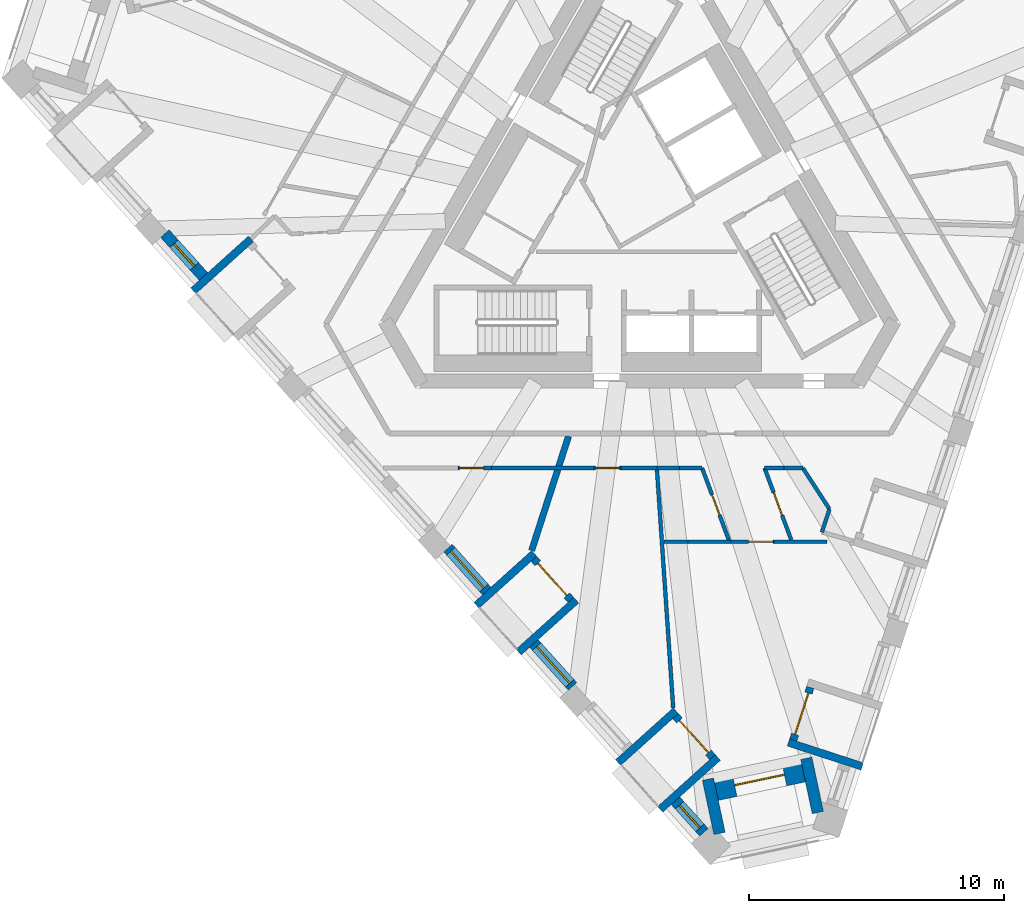
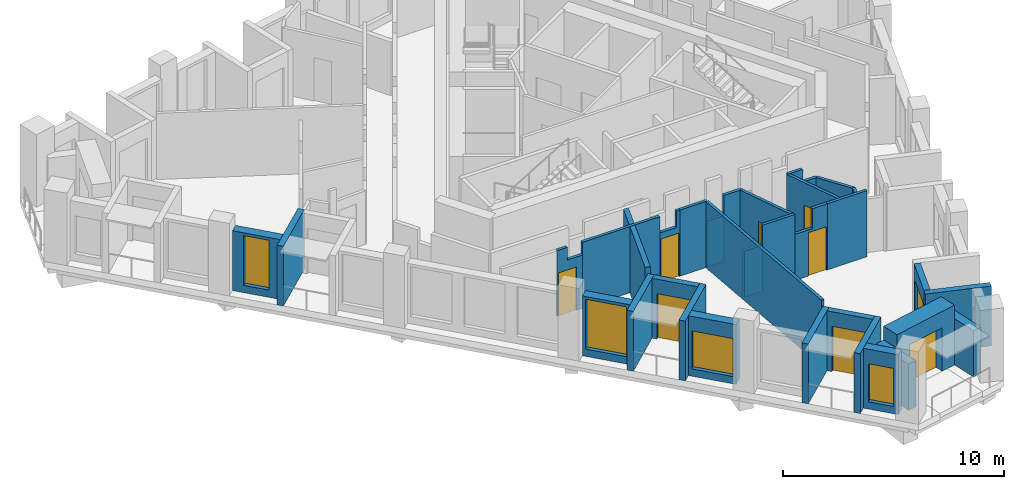
# One storey, part 2 of 12: 34 walls, 9 doors, 4 windows, 13 openings.
"""IFC4 building model written with IfcOpenShell, lengths in metres."""

from ifc_helpers import new_model, si_unit, direction, frame, frame_2d, origin, place, context, subcontext, project, spatial, polyline, rectangle, outline, extrude, material, layer, layer_set, type_object, element, fill, save


model = new_model("IFC4")

# Units and contexts
model_context = context("Model", 3, precision=1e-05, world=origin(), true_north=direction((0.0, 1.0)))
body_context = subcontext(model_context, "Body", "Model", "MODEL_VIEW")
ifc_project = project(units=[si_unit("LENGTHUNIT", "METRE"), si_unit("AREAUNIT", "SQUARE_METRE"), si_unit("VOLUMEUNIT", "CUBIC_METRE"), si_unit("PLANEANGLEUNIT", "RADIAN"), si_unit("MASSUNIT", "GRAM", prefix="KILO")], contexts=[model_context])

# Site, building, storey
site_placement = place(None, origin())
site = spatial("IfcSite", under=ifc_project, at=site_placement, CompositionType="ELEMENT")
building_placement = place(site_placement, origin())
building = spatial("IfcBuilding", under=site, at=building_placement, Name="Tramontana Tower", CompositionType="ELEMENT")
storey_placement = place(building_placement, frame((0.0, 0.0, 340.39990234375)))
storey = spatial("IfcBuildingStorey", under=building, at=storey_placement, Name="L78", CompositionType="ELEMENT", Elevation=340.39990234375)

# Wall, opening, window
ifc_material_1 = material(Name="Precast concrete 60 MPa", Category="concrete")
ifc_layer_1 = layer(ifc_material_1, 0.449951171875)
ifc_layer_set_1 = layer_set([ifc_layer_1], Name="Precast concrete 60 MPa, 450 mm")
wall_type_1 = type_object("IfcWallType", Name="EW1 Stone-faced precast wall 450", PredefinedType="SOLIDWALL", material=ifc_layer_set_1)
wall_1_placement = place(storey_placement, frame((-18.655517578125, -0.689208984375, 0.0), z_axis=(0.0, 0.0, 1.0), x_axis=(0.669107243666, -0.743165860676, 0.0)))
wall_1 = element("IfcWall", 1, at=wall_1_placement, inside=storey, type_object=wall_type_1, Name="External wall L78 face 0 bay 2", PredefinedType="SOLIDWALL", context=body_context, shape_type="SweptSolid", body=[
    extrude(rectangle(XDim=2.271240234375, YDim=0.449951171875, at=frame_2d((1.1357421875, 0.0))), origin(), (0.0, 0.0, 1.0), 3.300048828125),
])
opening_1_placement = place(wall_1_placement, frame((0.53564453125, 0.0, 0.39990234375)))
opening_1 = element("IfcOpeningElement", 2, at=opening_1_placement, cuts=wall_1, Name="Opening N3", PredefinedType="OPENING", context=body_context, shape_type="SweptSolid", body=[
    extrude(rectangle(XDim=1.199951171875, YDim=2.75, at=frame_2d((0.60009765625, 1.375))), frame((0.0, 0.23486328125, 0.0), z_axis=(0.0, -1.0, 0.0), x_axis=(1.0, 0.0, 0.0)), (0.0, 0.0, 1.0), 0.469970703125),
])
ifc_material_2 = material(Name="Aluminum frame, double glazing unit", Category="aluminium")
window_type_1 = type_object("IfcWindowType", Name="N3 Window 1.2 x 2.75", PartitioningType="SINGLE_PANEL", PredefinedType="WINDOW", material=ifc_material_2)
window_1_placement = place(opening_1_placement, origin())
window_1 = element("IfcWindow", 3, at=window_1_placement, inside=storey, type_object=window_type_1, Name="Window N3 L78 face 0 module 4", OverallHeight=2.75, OverallWidth=1.199951171875, PartitioningType="SINGLE_PANEL", PredefinedType="WINDOW", context=body_context, shape_type="SweptSolid", body=[
    extrude(rectangle(XDim=1.199951171875, YDim=2.75, at=frame_2d((0.60009765625, 1.375))), frame((0.0, 0.030029296875, 0.0), z_axis=(0.0, -1.0, 0.0), x_axis=(1.0, 0.0, 0.0)), (0.0, 0.0, 1.0), 0.06005859375),
])
fill(opening_1, window_1)

wall_2_placement = place(storey_placement, frame((-7.529541015625, -13.046142578125, 0.0), z_axis=(0.0, 0.0, 1.0), x_axis=(0.669160694992, -0.743117732447, 0.0)))
wall_2 = element("IfcWall", 4, at=wall_2_placement, inside=storey, type_object=wall_type_1, Name="External wall L78 face 0 bay 4", PredefinedType="SOLIDWALL", context=body_context, shape_type="SweptSolid", body=[
    extrude(rectangle(XDim=2.271240234375, YDim=0.449951171875, at=frame_2d((1.1357421875, 0.0))), origin(), (0.0, 0.0, 1.0), 3.300048828125),
])
opening_2_placement = place(wall_2_placement, frame((0.16064453125, 0.0, 0.39990234375)))
opening_2 = element("IfcOpeningElement", 5, at=opening_2_placement, cuts=wall_2, Name="Opening M3", PredefinedType="OPENING", context=body_context, shape_type="SweptSolid", body=[
    extrude(rectangle(XDim=1.949951171875, YDim=2.75, at=frame_2d((0.97509765625, 1.375))), frame((0.0, 0.23486328125, 0.0), z_axis=(0.0, -1.0, 0.0), x_axis=(1.0, 0.0, 0.0)), (0.0, 0.0, 1.0), 0.469970703125),
])
ifc_material_3 = material(Name="Aluminum frame, double glazing unit", Category="aluminium")
window_type_2 = type_object("IfcWindowType", Name="M3 Window 1.95 x 2.75", PartitioningType="SINGLE_PANEL", PredefinedType="WINDOW", material=ifc_material_3)
window_2_placement = place(opening_2_placement, origin())
window_2 = element("IfcWindow", 6, at=window_2_placement, inside=storey, type_object=window_type_2, Name="Window M3 L78 face 0 module 10", OverallHeight=2.75, OverallWidth=1.949951171875, PartitioningType="SINGLE_PANEL", PredefinedType="WINDOW", context=body_context, shape_type="SweptSolid", body=[
    extrude(rectangle(XDim=1.949951171875, YDim=2.75, at=frame_2d((0.97509765625, 1.375))), frame((0.0, 0.030029296875, 0.0), z_axis=(0.0, -1.0, 0.0), x_axis=(1.0, 0.0, 0.0)), (0.0, 0.0, 1.0), 0.06005859375),
])
fill(opening_2, window_2)

wall_3_placement = place(storey_placement, frame((-4.1552734375, -16.79345703125, 0.0), z_axis=(0.0, 0.0, 1.0), x_axis=(0.669160694992, -0.743117732447, 0.0)))
wall_3 = element("IfcWall", 7, at=wall_3_placement, inside=storey, type_object=wall_type_1, Name="External wall L78 face 0 bay 4", PredefinedType="SOLIDWALL", context=body_context, shape_type="SweptSolid", body=[
    extrude(rectangle(XDim=2.271240234375, YDim=0.449951171875, at=frame_2d((1.1357421875, 0.0))), origin(), (0.0, 0.0, 1.0), 3.300048828125),
])
opening_3_placement = place(wall_3_placement, frame((0.16064453125, 0.0, 0.39990234375)))
opening_3 = element("IfcOpeningElement", 8, at=opening_3_placement, cuts=wall_3, Name="Opening M3L", PredefinedType="OPENING", context=body_context, shape_type="SweptSolid", body=[
    extrude(rectangle(XDim=1.949951171875, YDim=2.10009765625, at=frame_2d((0.97509765625, 1.050048828125))), frame((0.0, 0.23486328125, 0.0), z_axis=(0.0, -1.0, 0.0), x_axis=(1.0, 0.0, 0.0)), (0.0, 0.0, 1.0), 0.469970703125),
])
ifc_material_4 = material(Name="Aluminum frame, double glazing unit", Category="aluminium")
window_type_3 = type_object("IfcWindowType", Name="M3L Window 1.95 x 2.1", PartitioningType="SINGLE_PANEL", PredefinedType="WINDOW", material=ifc_material_4)
window_3_placement = place(opening_3_placement, origin())
window_3 = element("IfcWindow", 9, at=window_3_placement, inside=storey, type_object=window_type_3, Name="Window M3L L78 face 0 module 12", OverallHeight=2.10009765625, OverallWidth=1.949951171875, PartitioningType="SINGLE_PANEL", PredefinedType="WINDOW", context=body_context, shape_type="SweptSolid", body=[
    extrude(rectangle(XDim=1.949951171875, YDim=2.10009765625, at=frame_2d((0.97509765625, 1.050048828125))), frame((0.0, 0.030029296875, 0.0), z_axis=(0.0, -1.0, 0.0), x_axis=(1.0, 0.0, 0.0)), (0.0, 0.0, 1.0), 0.06005859375),
])
fill(opening_3, window_3)

wall_4_placement = place(storey_placement, frame((1.40771484375, -22.971923828125, 0.0), z_axis=(0.0, 0.0, 1.0), x_axis=(0.669182609054, -0.743097998746, 0.0)))
wall_4 = element("IfcWall", 10, at=wall_4_placement, inside=storey, type_object=wall_type_1, Name="External wall L78 face 0 bay 5", PredefinedType="SOLIDWALL", context=body_context, shape_type="SweptSolid", body=[
    extrude(rectangle(XDim=1.67138671875, YDim=0.449951171875, at=frame_2d((0.835693359375, 0.0))), origin(), (0.0, 0.0, 1.0), 3.300048828125),
])
opening_4_placement = place(wall_4_placement, frame((0.235595703125, 0.0, 0.39990234375)))
opening_4 = element("IfcOpeningElement", 11, at=opening_4_placement, cuts=wall_4, Name="Opening N3L", PredefinedType="OPENING", context=body_context, shape_type="SweptSolid", body=[
    extrude(rectangle(XDim=1.199951171875, YDim=2.10009765625, at=frame_2d((0.60009765625, 1.050048828125))), frame((0.0, 0.23486328125, 0.0), z_axis=(0.0, -1.0, 0.0), x_axis=(1.0, 0.0, 0.0)), (0.0, 0.0, 1.0), 0.469970703125),
])
ifc_material_5 = material(Name="Aluminum frame, double glazing unit", Category="aluminium")
window_type_4 = type_object("IfcWindowType", Name="N3L Window 1.2 x 2.1", PartitioningType="SINGLE_PANEL", PredefinedType="WINDOW", material=ifc_material_5)
window_4_placement = place(opening_4_placement, origin())
window_4 = element("IfcWindow", 12, at=window_4_placement, inside=storey, type_object=window_type_4, Name="Window N3L L78 face 0 module 15", OverallHeight=2.10009765625, OverallWidth=1.199951171875, PartitioningType="SINGLE_PANEL", PredefinedType="WINDOW", context=body_context, shape_type="SweptSolid", body=[
    extrude(rectangle(XDim=1.199951171875, YDim=2.10009765625, at=frame_2d((0.60009765625, 1.050048828125))), frame((0.0, 0.030029296875, 0.0), z_axis=(0.0, -1.0, 0.0), x_axis=(1.0, 0.0, 0.0)), (0.0, 0.0, 1.0), 0.06005859375),
])
fill(opening_4, window_4)

# Walls
for number, where, z_axis, x_axis, name in (
    (13, (7.00048828125, -23.435791015625, 0.0), (0.0, 0.0, 1.0), (-0.207929769172, 0.978143757886, 0.0), "Corner loggia side wall L78 K81l"),
    (14, (3.136962890625, -24.257080078125, 0.0), (0.0, 0.0, 1.0), (-0.207929769172, 0.978143757886, 0.0), "Corner loggia side wall L78 K81r"),
):
    element("IfcWall", number, at=place(storey_placement, frame(where, z_axis=z_axis, x_axis=x_axis)), inside=storey, type_object=wall_type_1, Name=name, PredefinedType="SOLIDWALL", context=body_context, shape_type="SweptSolid", body=[
        extrude(rectangle(XDim=2.17919921875, YDim=0.449951171875, at=frame_2d((1.089599609375, 0.0))), origin(), (0.0, 0.0, 1.0), 2.550048828125),
    ])

# Wall, opening, door
ifc_material_6 = material(Name="Precast concrete 60 MPa", Category="concrete")
ifc_layer_2 = layer(ifc_material_6, 0.89990234375)
ifc_layer_set_2 = layer_set([ifc_layer_2], Name="EW2 Stone-faced corner loggia wall 900")
wall_type_2 = type_object("IfcWallType", Name="EW2 Stone-faced corner loggia wall 900", PredefinedType="SOLIDWALL", material=ifc_layer_set_2)
wall_5_placement = place(storey_placement, frame((6.4208984375, -21.791259765625, 0.0), z_axis=(0.0, 0.0, 1.0), x_axis=(-0.978154241128, -0.207880447765, 0.0)))
wall_5 = element("IfcWall", 15, at=wall_5_placement, inside=storey, type_object=wall_type_2, Name="Corner loggia wall L78 K81", PredefinedType="SOLIDWALL", context=body_context, shape_type="SweptSolid", body=[
    extrude(rectangle(XDim=3.499755859375, YDim=0.89990234375, at=frame_2d((1.75, 0.0))), origin(), (0.0, 0.0, 1.0), 3.300048828125),
])
opening_5_placement = place(wall_5_placement, frame((0.75, 0.0, 0.0)))
opening_5 = element("IfcOpeningElement", 16, at=opening_5_placement, cuts=wall_5, Name="Opening BD-81C", PredefinedType="OPENING", context=body_context, shape_type="SweptSolid", body=[
    extrude(rectangle(XDim=2.0, YDim=2.39990234375, at=frame_2d((1.0, 1.199951171875))), frame((0.0, 0.4599609375, 0.0), z_axis=(0.0, -1.0, 0.0), x_axis=(1.0, 0.0, 0.0)), (0.0, 0.0, 1.0), 0.919921875),
])
ifc_material_7 = material(Name="Aluminum frame, double glazing unit", Category="aluminium")
door_type_1 = type_object("IfcDoorType", Name="BC1 Sliding door 2 x 2.4", OperationType="SLIDING_TO_LEFT", PredefinedType="DOOR", material=ifc_material_7)
door_1_placement = place(opening_5_placement, origin())
door_1 = element("IfcDoor", 17, at=door_1_placement, inside=storey, type_object=door_type_1, Name="Corner loggia door L78 K81", OperationType="SLIDING_TO_LEFT", OverallHeight=2.39990234375, OverallWidth=2.0, PredefinedType="DOOR", context=body_context, shape_type="SweptSolid", body=[
    extrude(rectangle(XDim=2.0, YDim=2.39990234375, at=frame_2d((1.0, 1.199951171875))), frame((0.0, 0.02490234375, 0.0), z_axis=(0.0, -1.0, 0.0), x_axis=(1.0, 0.0, 0.0)), (0.0, 0.0, 1.0), 0.050048828125),
])
fill(opening_5, door_1)

# Wall
ifc_material_8 = material(Name="Precast concrete 60 MPa", Category="concrete")
ifc_layer_3 = layer(ifc_material_8, 0.300048828125)
ifc_layer_set_3 = layer_set([ifc_layer_3], Name="LW1 Stone-faced loggia wall 300")
wall_type_3 = type_object("IfcWallType", Name="LW1 Stone-faced loggia wall 300", PredefinedType="SOLIDWALL", material=ifc_layer_set_3)
wall_6_placement = place(storey_placement, frame((-17.537109375, -2.9404296875, 0.0), z_axis=(0.0, 0.0, 1.0), x_axis=(0.743118999127, 0.669159288314, 0.0)))
element("IfcWall", 18, at=wall_6_placement, inside=storey, type_object=wall_type_3, Name="Loggia return L78 G8S0.4a", PredefinedType="SOLIDWALL", context=body_context, shape_type="SweptSolid", body=[
    extrude(rectangle(XDim=3.050048828125, YDim=0.300048828125, at=frame_2d((1.52490234375, 0.0))), origin(), (0.0, 0.0, 1.0), 3.300048828125),
])

# Wall, opening, door
wall_7_placement = place(storey_placement, frame((-4.155517578125, -13.468017578125, 0.0), z_axis=(0.0, 0.0, 1.0), x_axis=(0.669144868344, -0.743131983681, 0.0)))
wall_7 = element("IfcWall", 19, at=wall_7_placement, inside=storey, type_object=wall_type_3, Name="Loggia wall L78 G8S0.10", PredefinedType="SOLIDWALL", context=body_context, shape_type="SweptSolid", body=[
    extrude(rectangle(XDim=2.171142578125, YDim=0.300048828125, at=frame_2d((1.08544921875, 0.0))), origin(), (0.0, 0.0, 1.0), 3.300048828125),
])
opening_6_placement = place(wall_7_placement, frame((0.235595703125, 0.0, 0.0)))
opening_6 = element("IfcOpeningElement", 20, at=opening_6_placement, cuts=wall_7, Name="Opening BD-8S0-10", PredefinedType="OPENING", context=body_context, shape_type="SweptSolid", body=[
    extrude(rectangle(XDim=1.699951171875, YDim=2.5, at=frame_2d((0.85009765625, 1.25))), frame((0.0, 0.159912109375, 0.0), z_axis=(0.0, -1.0, 0.0), x_axis=(1.0, 0.0, 0.0)), (0.0, 0.0, 1.0), 0.320068359375),
])
ifc_material_9 = material(Name="Aluminum frame, double glazing unit", Category="aluminium")
door_type_2 = type_object("IfcDoorType", Name="BD3 Sliding door 1.7 x 2.5", OperationType="SLIDING_TO_LEFT", PredefinedType="DOOR", material=ifc_material_9)
door_2_placement = place(opening_6_placement, origin())
door_2 = element("IfcDoor", 21, at=door_2_placement, inside=storey, type_object=door_type_2, Name="Loggia door L78 G8S0.10", OperationType="SLIDING_TO_LEFT", OverallHeight=2.5, OverallWidth=1.699951171875, PredefinedType="DOOR", context=body_context, shape_type="SweptSolid", body=[
    extrude(rectangle(XDim=1.699951171875, YDim=2.5, at=frame_2d((0.85009765625, 1.25))), frame((0.0, 0.02490234375, 0.0), z_axis=(0.0, -1.0, 0.0), x_axis=(1.0, 0.0, 0.0)), (0.0, 0.0, 1.0), 0.050048828125),
])
fill(opening_6, door_2)

# Walls
for number, where, z_axis, x_axis, name in (
    (22, (-6.410888671875, -15.297119140625, 0.0), (0.0, 0.0, 1.0), (0.743158802514, 0.669115082961, 0.0), "Loggia return L78 G8S0.10a"),
    (23, (-4.75732421875, -17.133544921875, 0.0), (0.0, 0.0, 1.0), (0.743158802514, 0.669115082961, 0.0), "Loggia return L78 G8S0.10b"),
):
    element("IfcWall", number, at=place(storey_placement, frame(where, z_axis=z_axis, x_axis=x_axis)), inside=storey, type_object=wall_type_3, Name=name, PredefinedType="SOLIDWALL", context=body_context, shape_type="SweptSolid", body=[
        extrude(rectangle(XDim=3.050048828125, YDim=0.300048828125, at=frame_2d((1.52490234375, 0.0))), origin(), (0.0, 0.0, 1.0), 3.300048828125),
    ])

# Wall, opening, door
wall_8_placement = place(storey_placement, frame((1.40771484375, -19.646484375, 0.0), z_axis=(0.0, 0.0, 1.0), x_axis=(0.669144868344, -0.743131983681, 0.0)))
wall_8 = element("IfcWall", 24, at=wall_8_placement, inside=storey, type_object=wall_type_3, Name="Loggia wall L78 G8S0.13", PredefinedType="SOLIDWALL", context=body_context, shape_type="SweptSolid", body=[
    extrude(rectangle(XDim=2.171142578125, YDim=0.300048828125, at=frame_2d((1.08544921875, 0.0))), origin(), (0.0, 0.0, 1.0), 3.300048828125),
])
opening_7_placement = place(wall_8_placement, frame((0.235595703125, 0.0, 0.0)))
opening_7 = element("IfcOpeningElement", 25, at=opening_7_placement, cuts=wall_8, Name="Opening BD-8S0-13", PredefinedType="OPENING", context=body_context, shape_type="SweptSolid", body=[
    extrude(rectangle(XDim=1.699951171875, YDim=2.5, at=frame_2d((0.85009765625, 1.25))), frame((0.0, 0.159912109375, 0.0), z_axis=(0.0, -1.0, 0.0), x_axis=(1.0, 0.0, 0.0)), (0.0, 0.0, 1.0), 0.320068359375),
])
door_3_placement = place(opening_7_placement, origin())
door_3 = element("IfcDoor", 26, at=door_3_placement, inside=storey, type_object=door_type_2, Name="Loggia door L78 G8S0.13", OperationType="SLIDING_TO_LEFT", OverallHeight=2.5, OverallWidth=1.699951171875, PredefinedType="DOOR", context=body_context, shape_type="SweptSolid", body=[
    extrude(rectangle(XDim=1.699951171875, YDim=2.5, at=frame_2d((0.85009765625, 1.25))), frame((0.0, 0.02490234375, 0.0), z_axis=(0.0, -1.0, 0.0), x_axis=(1.0, 0.0, 0.0)), (0.0, 0.0, 1.0), 0.050048828125),
])
fill(opening_7, door_3)

# Walls
for number, where, z_axis, x_axis, name in (
    (27, (-0.847900390625, -21.4755859375, 0.0), (0.0, 0.0, 1.0), (0.743118999127, 0.669159288314, 0.0), "Loggia return L78 G8S0.13a"),
    (28, (0.8056640625, -23.31201171875, 0.0), (0.0, 0.0, 1.0), (0.743158802514, 0.669115082961, 0.0), "Loggia return L78 G8S0.13b"),
):
    element("IfcWall", number, at=place(storey_placement, frame(where, z_axis=z_axis, x_axis=x_axis)), inside=storey, type_object=wall_type_3, Name=name, PredefinedType="SOLIDWALL", context=body_context, shape_type="SweptSolid", body=[
        extrude(rectangle(XDim=3.050048828125, YDim=0.300048828125, at=frame_2d((1.52490234375, 0.0))), origin(), (0.0, 0.0, 1.0), 3.300048828125),
    ])

# Wall, opening, door
wall_9_placement = place(storey_placement, frame((6.0341796875, -20.58544921875, 0.0), z_axis=(0.0, 0.0, 1.0), x_axis=(0.308999623589, 0.95106216023, 0.0)))
wall_9 = element("IfcWall", 29, at=wall_9_placement, inside=storey, type_object=wall_type_3, Name="Loggia wall L78 G8S1.1", PredefinedType="SOLIDWALL", context=body_context, shape_type="SweptSolid", body=[
    extrude(rectangle(XDim=2.171142578125, YDim=0.300048828125, at=frame_2d((1.08544921875, 0.0))), origin(), (0.0, 0.0, 1.0), 3.300048828125),
])
opening_8_placement = place(wall_9_placement, frame((0.235595703125, 0.0, 0.0)))
opening_8 = element("IfcOpeningElement", 30, at=opening_8_placement, cuts=wall_9, Name="Opening BD-8S1-01", PredefinedType="OPENING", context=body_context, shape_type="SweptSolid", body=[
    extrude(rectangle(XDim=1.699951171875, YDim=2.5, at=frame_2d((0.85009765625, 1.25))), frame((0.0, 0.159912109375, 0.0), z_axis=(0.0, -1.0, 0.0), x_axis=(1.0, 0.0, 0.0)), (0.0, 0.0, 1.0), 0.320068359375),
])
door_4_placement = place(opening_8_placement, origin())
door_4 = element("IfcDoor", 31, at=door_4_placement, inside=storey, type_object=door_type_2, Name="Loggia door L78 G8S1.1", OperationType="SLIDING_TO_LEFT", OverallHeight=2.5, OverallWidth=1.699951171875, PredefinedType="DOOR", context=body_context, shape_type="SweptSolid", body=[
    extrude(rectangle(XDim=1.699951171875, YDim=2.5, at=frame_2d((0.85009765625, 1.25))), frame((0.0, 0.02490234375, 0.0), z_axis=(0.0, -1.0, 0.0), x_axis=(1.0, 0.0, 0.0)), (0.0, 0.0, 1.0), 0.050048828125),
])
fill(opening_8, door_4)

# Walls
wall_10_placement = place(storey_placement, frame((8.745849609375, -21.624267578125, 0.0), z_axis=(0.0, 0.0, 1.0), x_axis=(-0.951072883748, 0.308966615996, 0.0)))
element("IfcWall", 32, at=wall_10_placement, inside=storey, type_object=wall_type_3, Name="Loggia return L78 G8S1.1a", PredefinedType="SOLIDWALL", context=body_context, shape_type="SweptSolid", body=[
    extrude(rectangle(XDim=3.050048828125, YDim=0.300048828125, at=frame_2d((1.52490234375, 0.0))), origin(), (0.0, 0.0, 1.0), 3.300048828125),
])
ifc_material_10 = material(Name="Gypsum board partition")
ifc_layer_4 = layer(ifc_material_10, 0.14990234375)
ifc_layer_set_4 = layer_set([ifc_layer_4], Name="PARTITION 150")
wall_type_4 = type_object("IfcWallType", Name="PARTITION 150", PredefinedType="PARTITIONING", material=ifc_layer_set_4)
wall_11_placement = place(storey_placement, frame((1.318359375, -19.322998046875, 0.0), z_axis=(0.0, 0.0, 1.0), x_axis=(-0.068059844865, 0.997681240436, 0.0)))
element("IfcWall", 33, at=wall_11_placement, inside=storey, type_object=wall_type_4, Name="Wall v81-pw12", PredefinedType="PARTITIONING", context=body_context, shape_type="SweptSolid", body=[
    extrude(rectangle(XDim=9.36962890625, YDim=0.14990234375, at=frame_2d((4.684814453125, 0.0))), origin(), (0.0, 0.0, 1.0), 3.650146484375),
])
wall_12_placement = place(storey_placement, frame((2.45166015625, -9.89990234375, 0.0), z_axis=(0.0, 0.0, 1.0), x_axis=(-1.0, 0.0, 0.0)))
element("IfcWall", 34, at=wall_12_placement, inside=storey, type_object=wall_type_4, Name="Wall v81-pw13-0", PredefinedType="PARTITIONING", context=body_context, shape_type="SweptSolid", body=[
    extrude(rectangle(XDim=0.888916015625, YDim=0.14990234375, at=frame_2d((0.4443359375, 0.0))), origin(), (0.0, 0.0, 1.0), 3.650146484375),
])
wall_13_placement = place(storey_placement, frame((1.562744140625, -9.89990234375, 0.0), z_axis=(0.0, 0.0, 1.0), x_axis=(-1.0, 0.0, 0.0)))
element("IfcWall", 35, at=wall_13_placement, inside=storey, type_object=wall_type_4, Name="Wall v81-pw13-1", PredefinedType="PARTITIONING", context=body_context, shape_type="SweptSolid", body=[
    extrude(rectangle(XDim=0.880615234375, YDim=0.14990234375, at=frame_2d((0.4404296875, 0.0))), origin(), (0.0, 0.0, 1.0), 2.550048828125),
])
wall_14_placement = place(storey_placement, frame((0.68212890625, -9.89990234375, 0.0), z_axis=(0.0, 0.0, 1.0), x_axis=(-1.0, 0.0, 0.0)))
element("IfcWall", 36, at=wall_14_placement, inside=storey, type_object=wall_type_4, Name="Wall v81-pw13-2", PredefinedType="PARTITIONING", context=body_context, shape_type="SweptSolid", body=[
    extrude(rectangle(XDim=1.416259765625, YDim=0.14990234375, at=frame_2d((0.7080078125, 0.0))), origin(), (0.0, 0.0, 1.0), 3.650146484375),
])

# Wall, opening, door
wall_15_placement = place(storey_placement, frame((-0.734130859375, -9.89990234375, 0.0), z_axis=(0.0, 0.0, 1.0), x_axis=(-1.0, 0.0, 0.0)))
wall_15 = element("IfcWall", 37, at=wall_15_placement, inside=storey, type_object=wall_type_4, Name="Wall v81-pw13-3", PredefinedType="PARTITIONING", context=body_context, shape_type="SweptSolid", body=[
    extrude(outline(polyline([(0.0, 0.0), (1.050048828125, 0.0), (1.050048828125, 2.75), (0.177734375, 2.75), (0.177734375, 3.650146484375), (0.0, 3.650146484375), (0.0, 0.0)])), frame((0.0, 0.074951171875, 0.0), z_axis=(0.0, -1.0, 0.0), x_axis=(1.0, 0.0, 0.0)), (0.0, 0.0, 1.0), 0.14990234375),
])
opening_9_placement = place(wall_15_placement, frame((0.050048828125, 0.0, 0.0)))
opening_9 = element("IfcOpeningElement", 38, at=opening_9_placement, cuts=wall_15, Name="Opening B8B-09", PredefinedType="OPENING", context=body_context, shape_type="SweptSolid", body=[
    extrude(rectangle(XDim=0.949951171875, YDim=2.39990234375, at=frame_2d((0.47509765625, 1.199951171875))), frame((0.0, 0.0849609375, 0.0), z_axis=(0.0, -1.0, 0.0), x_axis=(1.0, 0.0, 0.0)), (0.0, 0.0, 1.0), 0.169921875),
])
ifc_material_11 = material(Name="Painted timber", Category="wood")
door_type_3 = type_object("IfcDoorType", Name="DOOR ROOM 950", OperationType="SINGLE_SWING_LEFT", PredefinedType="DOOR", material=ifc_material_11)
door_5_placement = place(opening_9_placement, origin())
door_5 = element("IfcDoor", 39, at=door_5_placement, inside=storey, type_object=door_type_3, Name="Door B8B-09", OperationType="SINGLE_SWING_LEFT", OverallHeight=2.39990234375, OverallWidth=0.949951171875, PredefinedType="DOOR", context=body_context, shape_type="SweptSolid", body=[
    extrude(rectangle(XDim=0.949951171875, YDim=2.39990234375, at=frame_2d((0.47509765625, 1.199951171875))), frame((0.0, 0.02490234375, 0.0), z_axis=(0.0, -1.0, 0.0), x_axis=(1.0, 0.0, 0.0)), (0.0, 0.0, 1.0), 0.050048828125),
])
fill(opening_9, door_5)

# Wall
wall_16_placement = place(storey_placement, frame((-1.7841796875, -9.89990234375, 0.0), z_axis=(0.0, 0.0, 1.0), x_axis=(-1.0, 0.0, 0.0)))
element("IfcWall", 40, at=wall_16_placement, inside=storey, type_object=wall_type_4, Name="Wall v81-pw13-4", PredefinedType="PARTITIONING", context=body_context, shape_type="SweptSolid", body=[
    extrude(rectangle(XDim=4.029296875, YDim=0.14990234375, at=frame_2d((2.0146484375, 0.0))), origin(), (0.0, 0.0, 1.0), 3.650146484375),
])

# Wall, opening, door
wall_17_placement = place(storey_placement, frame((-5.8134765625, -9.89990234375, 0.0), z_axis=(0.0, 0.0, 1.0), x_axis=(-1.0, 0.0, 0.0)))
wall_17 = element("IfcWall", 41, at=wall_17_placement, inside=storey, type_object=wall_type_4, Name="Wall v81-pw13-5", PredefinedType="PARTITIONING", context=body_context, shape_type="SweptSolid", body=[
    extrude(outline(polyline([(0.0, 0.0), (1.319091796875, 0.0), (1.319091796875, 3.650146484375), (0.796875, 3.650146484375), (0.796875, 2.9501953125), (0.0, 2.9501953125), (0.0, 0.0)])), frame((0.0, 0.074951171875, 0.0), z_axis=(0.0, -1.0, 0.0), x_axis=(1.0, 0.0, 0.0)), (0.0, 0.0, 1.0), 0.14990234375),
])
opening_10_placement = place(wall_17_placement, frame((0.319091796875, 0.0, 0.0)))
opening_10 = element("IfcOpeningElement", 42, at=opening_10_placement, cuts=wall_17, Name="Opening B8B-04", PredefinedType="OPENING", context=body_context, shape_type="SweptSolid", body=[
    extrude(rectangle(XDim=0.949951171875, YDim=2.39990234375, at=frame_2d((0.47509765625, 1.199951171875))), frame((0.0, 0.0849609375, 0.0), z_axis=(0.0, -1.0, 0.0), x_axis=(1.0, 0.0, 0.0)), (0.0, 0.0, 1.0), 0.169921875),
])
door_6_placement = place(opening_10_placement, origin())
door_6 = element("IfcDoor", 43, at=door_6_placement, inside=storey, type_object=door_type_3, Name="Door B8B-04", OperationType="SINGLE_SWING_RIGHT", OverallHeight=2.39990234375, OverallWidth=0.949951171875, PredefinedType="DOOR", context=body_context, shape_type="SweptSolid", body=[
    extrude(rectangle(XDim=0.949951171875, YDim=2.39990234375, at=frame_2d((0.47509765625, 1.199951171875))), frame((0.0, 0.02490234375, 0.0), z_axis=(0.0, -1.0, 0.0), x_axis=(1.0, 0.0, 0.0)), (0.0, 0.0, 1.0), 0.050048828125),
])
fill(opening_10, door_6)

wall_18_placement = place(storey_placement, frame((3.530029296875, -12.797119140625, 0.0), z_axis=(0.0, 0.0, 1.0), x_axis=(-0.348428586775, 0.937335329494, 0.0)))
wall_18 = element("IfcWall", 44, at=wall_18_placement, inside=storey, type_object=wall_type_4, Name="Wall v81-pw14", PredefinedType="PARTITIONING", context=body_context, shape_type="SweptSolid", body=[
    extrude(rectangle(XDim=3.08935546875, YDim=0.14990234375, at=frame_2d((1.544677734375, 0.0))), origin(), (0.0, 0.0, 1.0), 3.650146484375),
])
opening_11_placement = place(wall_18_placement, frame((1.11962890625, 0.0, 0.0)))
opening_11 = element("IfcOpeningElement", 45, at=opening_11_placement, cuts=wall_18, Name="Opening B8B-07", PredefinedType="OPENING", context=body_context, shape_type="SweptSolid", body=[
    extrude(rectangle(XDim=0.85009765625, YDim=2.39990234375, at=frame_2d((0.425048828125, 1.199951171875))), frame((0.0, 0.0849609375, 0.0), z_axis=(0.0, -1.0, 0.0), x_axis=(1.0, 0.0, 0.0)), (0.0, 0.0, 1.0), 0.169921875),
])
ifc_material_12 = material(Name="Painted timber", Category="wood")
door_type_4 = type_object("IfcDoorType", Name="DOOR BATH 850", OperationType="SINGLE_SWING_LEFT", PredefinedType="DOOR", material=ifc_material_12)
door_7_placement = place(opening_11_placement, origin())
door_7 = element("IfcDoor", 46, at=door_7_placement, inside=storey, type_object=door_type_4, Name="Door B8B-07", OperationType="SINGLE_SWING_LEFT", OverallHeight=2.39990234375, OverallWidth=0.85009765625, PredefinedType="DOOR", context=body_context, shape_type="SweptSolid", body=[
    extrude(rectangle(XDim=0.85009765625, YDim=2.39990234375, at=frame_2d((0.425048828125, 1.199951171875))), frame((0.0, 0.02490234375, 0.0), z_axis=(0.0, -1.0, 0.0), x_axis=(1.0, 0.0, 0.0)), (0.0, 0.0, 1.0), 0.050048828125),
])
fill(opening_11, door_7)

wall_19_placement = place(storey_placement, frame((4.907958984375, -9.902587890625, 0.0), z_axis=(0.0, 0.0, 1.0), x_axis=(0.348420640425, -0.937338283293, 0.0)))
wall_19 = element("IfcWall", 47, at=wall_19_placement, inside=storey, type_object=wall_type_4, Name="Wall v81-pw15", PredefinedType="PARTITIONING", context=body_context, shape_type="SweptSolid", body=[
    extrude(rectangle(XDim=3.010986328125, YDim=0.14990234375, at=frame_2d((1.50537109375, 0.0))), origin(), (0.0, 0.0, 1.0), 3.650146484375),
])
opening_12_placement = place(wall_19_placement, frame((1.030517578125, 0.0, 0.0)))
opening_12 = element("IfcOpeningElement", 48, at=opening_12_placement, cuts=wall_19, Name="Opening B8B-06", PredefinedType="OPENING", context=body_context, shape_type="SweptSolid", body=[
    extrude(rectangle(XDim=0.949951171875, YDim=2.39990234375, at=frame_2d((0.47509765625, 1.199951171875))), frame((0.0, 0.0849609375, 0.0), z_axis=(0.0, -1.0, 0.0), x_axis=(1.0, 0.0, 0.0)), (0.0, 0.0, 1.0), 0.169921875),
])
door_8_placement = place(opening_12_placement, origin())
door_8 = element("IfcDoor", 49, at=door_8_placement, inside=storey, type_object=door_type_3, Name="Door B8B-06", OperationType="SINGLE_SWING_RIGHT", OverallHeight=2.39990234375, OverallWidth=0.949951171875, PredefinedType="DOOR", context=body_context, shape_type="SweptSolid", body=[
    extrude(rectangle(XDim=0.949951171875, YDim=2.39990234375, at=frame_2d((0.47509765625, 1.199951171875))), frame((0.0, 0.02490234375, 0.0), z_axis=(0.0, -1.0, 0.0), x_axis=(1.0, 0.0, 0.0)), (0.0, 0.0, 1.0), 0.050048828125),
])
fill(opening_12, door_8)

# Walls
wall_20_placement = place(storey_placement, frame((6.412109375, -9.89990234375, 0.0), z_axis=(0.0, 0.0, 1.0), x_axis=(-1.0, 0.0, 0.0)))
element("IfcWall", 50, at=wall_20_placement, inside=storey, type_object=wall_type_4, Name="Wall v81-pw19-0", PredefinedType="PARTITIONING", context=body_context, shape_type="SweptSolid", body=[
    extrude(rectangle(XDim=0.741943359375, YDim=0.14990234375, at=frame_2d((0.37109375, 0.0))), origin(), (0.0, 0.0, 1.0), 2.9501953125),
])
wall_21_placement = place(storey_placement, frame((5.670166015625, -9.89990234375, 0.0), z_axis=(0.0, 0.0, 1.0), x_axis=(-1.0, 0.0, 0.0)))
element("IfcWall", 51, at=wall_21_placement, inside=storey, type_object=wall_type_4, Name="Wall v81-pw19-1", PredefinedType="PARTITIONING", context=body_context, shape_type="SweptSolid", body=[
    extrude(rectangle(XDim=0.76025390625, YDim=0.14990234375, at=frame_2d((0.380126953125, 0.0))), origin(), (0.0, 0.0, 1.0), 3.650146484375),
])
wall_22_placement = place(storey_placement, frame((7.162353515625, -12.420654296875, 0.0), z_axis=(0.0, 0.0, 1.0), x_axis=(0.30908028689, 0.951035948982, 0.0)))
element("IfcWall", 52, at=wall_22_placement, inside=storey, type_object=wall_type_4, Name="Wall v81-pw22-0", PredefinedType="PARTITIONING", context=body_context, shape_type="SweptSolid", body=[
    extrude(rectangle(XDim=0.9541015625, YDim=0.14990234375, at=frame_2d((0.47705078125, 0.0))), origin(), (0.0, 0.0, 1.0), 2.9501953125),
])
wall_23_placement = place(storey_placement, frame((7.35595703125, -12.800048828125, 0.0), z_axis=(0.0, 0.0, 1.0), x_axis=(-1.0, 0.0, 0.0)))
element("IfcWall", 53, at=wall_23_placement, inside=storey, type_object=wall_type_4, Name="Wall v81-pw25-0", PredefinedType="PARTITIONING", context=body_context, shape_type="SweptSolid", body=[
    extrude(rectangle(XDim=2.073486328125, YDim=0.14990234375, at=frame_2d((1.03662109375, 0.0))), origin(), (0.0, 0.0, 1.0), 3.650146484375),
])

# Wall, opening, door
wall_24_placement = place(storey_placement, frame((5.282470703125, -12.800048828125, 0.0), z_axis=(0.0, 0.0, 1.0), x_axis=(-1.0, 0.0, 0.0)))
wall_24 = element("IfcWall", 54, at=wall_24_placement, inside=storey, type_object=wall_type_4, Name="Wall v81-pw25-1", PredefinedType="PARTITIONING", context=body_context, shape_type="SweptSolid", body=[
    extrude(outline(polyline([(0.0, 0.0), (1.69775390625, 0.0), (1.69775390625, 2.550048828125), (0.780029296875, 2.550048828125), (0.780029296875, 3.650146484375), (0.0, 3.650146484375), (0.0, 0.0)])), frame((0.0, 0.074951171875, 0.0), z_axis=(0.0, -1.0, 0.0), x_axis=(1.0, 0.0, 0.0)), (0.0, 0.0, 1.0), 0.14990234375),
])
opening_13_placement = place(wall_24_placement, frame((0.050048828125, 0.0, 0.0)))
opening_13 = element("IfcOpeningElement", 55, at=opening_13_placement, cuts=wall_24, Name="Opening B8B-08", PredefinedType="OPENING", context=body_context, shape_type="SweptSolid", body=[
    extrude(rectangle(XDim=0.949951171875, YDim=2.39990234375, at=frame_2d((0.47509765625, 1.199951171875))), frame((0.0, 0.0849609375, 0.0), z_axis=(0.0, -1.0, 0.0), x_axis=(1.0, 0.0, 0.0)), (0.0, 0.0, 1.0), 0.169921875),
])
door_9_placement = place(opening_13_placement, origin())
door_9 = element("IfcDoor", 56, at=door_9_placement, inside=storey, type_object=door_type_3, Name="Door B8B-08", OperationType="SINGLE_SWING_RIGHT", OverallHeight=2.39990234375, OverallWidth=0.949951171875, PredefinedType="DOOR", context=body_context, shape_type="SweptSolid", body=[
    extrude(rectangle(XDim=0.949951171875, YDim=2.39990234375, at=frame_2d((0.47509765625, 1.199951171875))), frame((0.0, 0.02490234375, 0.0), z_axis=(0.0, -1.0, 0.0), x_axis=(1.0, 0.0, 0.0)), (0.0, 0.0, 1.0), 0.050048828125),
])
fill(opening_13, door_9)

# Walls
wall_25_placement = place(storey_placement, frame((3.584716796875, -12.800048828125, 0.0), z_axis=(0.0, 0.0, 1.0), x_axis=(-1.0, 0.0, 0.0)))
element("IfcWall", 57, at=wall_25_placement, inside=storey, type_object=wall_type_4, Name="Wall v81-pw25-2", PredefinedType="PARTITIONING", context=body_context, shape_type="SweptSolid", body=[
    extrude(rectangle(XDim=1.693115234375, YDim=0.14990234375, at=frame_2d((0.8466796875, 0.0))), origin(), (0.0, 0.0, 1.0), 3.650146484375),
])
wall_26_placement = place(storey_placement, frame((1.8916015625, -12.800048828125, 0.0), z_axis=(0.0, 0.0, 1.0), x_axis=(-1.0, 0.0, 0.0)))
element("IfcWall", 58, at=wall_26_placement, inside=storey, type_object=wall_type_4, Name="Wall v81-pw25-3", PredefinedType="PARTITIONING", context=body_context, shape_type="SweptSolid", body=[
    extrude(rectangle(XDim=0.943115234375, YDim=0.14990234375, at=frame_2d((0.4716796875, 0.0))), origin(), (0.0, 0.0, 1.0), 2.550048828125),
])
wall_27_placement = place(storey_placement, frame((7.45703125, -11.511474609375, 0.0), z_axis=(0.0, 0.0, 1.0), x_axis=(-0.543641589551, 0.839317473969, 0.0)))
element("IfcWall", 59, at=wall_27_placement, inside=storey, type_object=wall_type_4, Name="Wall v81-pw27-0", PredefinedType="PARTITIONING", context=body_context, shape_type="SweptSolid", body=[
    extrude(rectangle(XDim=1.9189453125, YDim=0.14990234375, at=frame_2d((0.95947265625, 0.0))), origin(), (0.0, 0.0, 1.0), 2.9501953125),
])
ifc_material_13 = material(Name="Blockwork", Category="masonry")
ifc_layer_5 = layer(ifc_material_13, 0.25)
ifc_layer_set_5 = layer_set([ifc_layer_5], Name="PARTY WALL 250")
wall_type_5 = type_object("IfcWallType", Name="PARTY WALL 250", PredefinedType="SOLIDWALL", material=ifc_layer_set_5)
wall_28_placement = place(storey_placement, frame((-2.793212890625, -8.650146484375, 0.0), z_axis=(0.0, 0.0, 1.0), x_axis=(-0.307297266893, -0.951613571656, 0.0)))
element("IfcWall", 60, at=wall_28_placement, inside=storey, type_object=wall_type_5, Name="Wall v81-pw11", PredefinedType="SOLIDWALL", context=body_context, shape_type="SweptSolid", body=[
    extrude(rectangle(XDim=4.72314453125, YDim=0.25, at=frame_2d((2.361572265625, 0.0))), origin(), (0.0, 0.0, 1.0), 3.650146484375),
])

save(model, "model.ifc")
